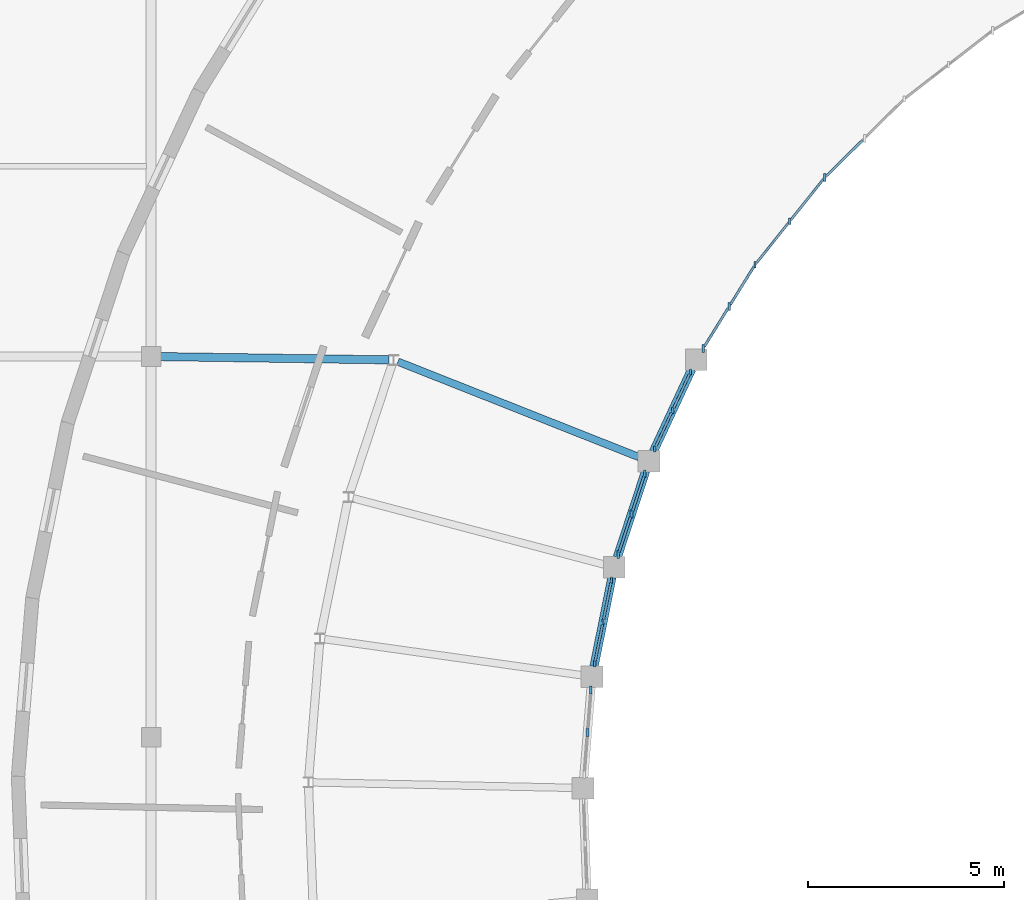
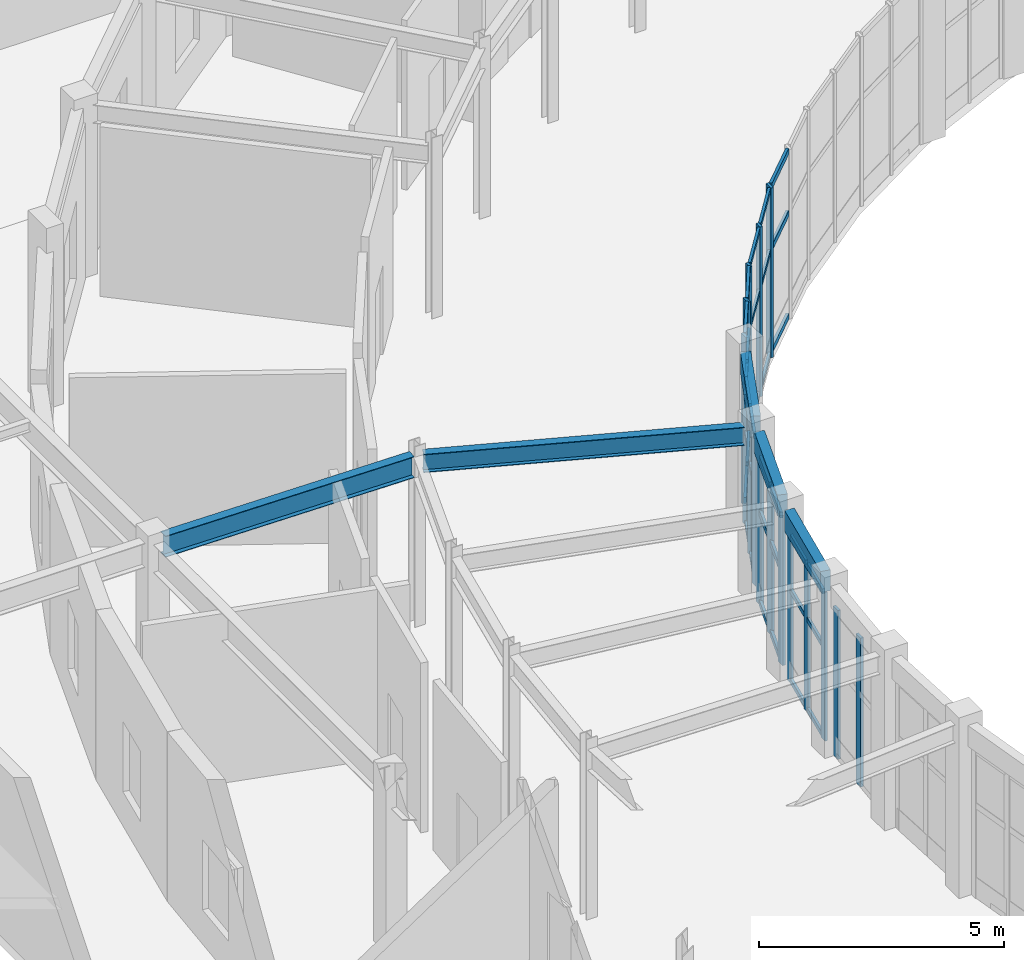
# One storey, part 48 of 112: 49 members, 5 beams, 7 elements without a shape of their own.
"""IFC4 building model written with IfcOpenShell, lengths in metres."""

import ifcopenshell
import ifcopenshell.guid

model = None  # the IFC model being written
_history = None  # IfcOwnerHistory: only IFC2X3 demands one
_inside = {}  # id of a spatial element -> (the spatial element, [elements in it])
_under = {}  # id of a project, library or spatial element -> (it, [spatial elements below it])
_declared = {}  # id of a project -> (the project, [libraries it declares])
_typed = {}  # id of a type object -> (the type object, [elements of that type])
_made_of = {}  # id of a material, layer set ... -> (it, [elements and type objects made of it])


def new_model(schema):
    """Start an empty IFC model of exactly this schema.

    Asked for "IFC4X3", IfcOpenShell would pick the latest addendum, in which some entities
    have other attributes; the version numbers below select the first issue.
    IFC2X3 requires an IfcOwnerHistory on every rooted entity: one is made here for all.
    """
    global model, _history
    if schema == "IFC4X3":
        model = ifcopenshell.file(schema_version=(4, 3, 0, 0))
    else:
        model = ifcopenshell.file(schema=schema)
    _inside.clear()
    _under.clear()
    _declared.clear()
    _typed.clear()
    _made_of.clear()
    _history = None
    if model.schema == "IFC2X3":
        org = make("IfcOrganization", Name="unknown")
        user = make(
            "IfcPersonAndOrganization",
            ThePerson=make("IfcPerson", FamilyName="unknown"),
            TheOrganization=org,
        )
        app = make(
            "IfcApplication",
            ApplicationDeveloper=org,
            Version="unknown",
            ApplicationFullName="unknown",
            ApplicationIdentifier="unknown",
        )
        _history = make(
            "IfcOwnerHistory",
            OwningUser=user,
            OwningApplication=app,
            ChangeAction="ADDED",
            CreationDate=0,
        )
    return model


def make(cls, **values):
    """One entity of the class cls with the attributes given. An attribute that is None is left unset."""
    return model.create_entity(
        cls, **{name: value for name, value in values.items() if value is not None}
    )


def rooted(cls, **values):
    """An entity with a GlobalId (a new one), such as an element, a storey or a relation."""
    return make(cls, GlobalId=ifcopenshell.guid.new(), OwnerHistory=_history, **values)


def si_unit(unit_type, name, prefix=None):
    """IfcSIUnit, for example si_unit("LENGTHUNIT", "METRE", prefix="MILLI")."""
    return make("IfcSIUnit", UnitType=unit_type, Prefix=prefix, Name=name)


def assignment(units):
    """IfcUnitAssignment: the units of a project."""
    return None if units is None else make("IfcUnitAssignment", Units=units)


def point(xyz):
    """IfcCartesianPoint."""
    return None if xyz is None else make("IfcCartesianPoint", Coordinates=xyz)


def direction(xyz):
    """IfcDirection."""
    return None if xyz is None else make("IfcDirection", DirectionRatios=xyz)


def frame(location, z_axis=None, x_axis=None):
    """IfcAxis2Placement3D, a coordinate frame: its origin and axes. An axis left out is left unset."""
    return make(
        "IfcAxis2Placement3D",
        Location=point(location),
        Axis=direction(z_axis),
        RefDirection=direction(x_axis),
    )


def frame_2d(location, x_axis=None):
    """IfcAxis2Placement2D, a coordinate frame in the plane: its origin and x axis."""
    return make(
        "IfcAxis2Placement2D", Location=point(location), RefDirection=direction(x_axis)
    )


def origin():
    """The frame at (0, 0, 0) with its axes left unset."""
    return frame((0.0, 0.0, 0.0))


def origin_2d():
    """The frame at (0, 0) in the plane with its x axis left unset."""
    return frame_2d((0.0, 0.0))


def place(relative_to, where):
    """IfcLocalPlacement: puts the frame where relative to a parent placement (None: the world)."""
    return make(
        "IfcLocalPlacement", PlacementRelTo=relative_to, RelativePlacement=where
    )


def context(
    kind, dimensions, precision=None, world=None, true_north=None, identifier=None
):
    """IfcGeometricRepresentationContext, for example the 3D "Model" context."""
    return make(
        "IfcGeometricRepresentationContext",
        ContextIdentifier=identifier,
        ContextType=kind,
        CoordinateSpaceDimension=dimensions,
        Precision=precision,
        WorldCoordinateSystem=world,
        TrueNorth=true_north,
    )


def subcontext(parent, identifier, kind, view, scale=None):
    """IfcGeometricRepresentationSubContext, for example "Body" below "Model"."""
    return make(
        "IfcGeometricRepresentationSubContext",
        ContextIdentifier=identifier,
        ContextType=kind,
        ParentContext=parent,
        TargetScale=scale,
        TargetView=view,
    )


def project(units=None, contexts=None):
    """IfcProject with its units and contexts."""
    return rooted(
        "IfcProject",
        Name="project",
        RepresentationContexts=contexts,
        UnitsInContext=assignment(units),
    )


def spatial(cls, under=None, at=None, **own):
    """A site, building, storey or space (cls), placed at a placement, below another one or the project."""
    s = rooted(cls, ObjectPlacement=at, **own)
    if under is not None:
        _under.setdefault(under.id(), (under, []))[1].append(s)
    return s


def profile(cls, at=None, kind="AREA", **sizes):
    """A parametric profile (cls). Its sizes go by their IFC names, for example OverallWidth=200.0."""
    return make(cls, ProfileType=kind, Position=at, **sizes)


def rectangle(**sizes):
    """IfcRectangleProfileDef."""
    return profile("IfcRectangleProfileDef", **sizes)


def i_section(**sizes):
    """IfcIShapeProfileDef."""
    return profile("IfcIShapeProfileDef", **sizes)


def extrude(swept, where, along, depth):
    """IfcExtrudedAreaSolid: the profile swept, set in the frame where, extruded along a direction by depth."""
    return make(
        "IfcExtrudedAreaSolid",
        SweptArea=swept,
        Position=where,
        ExtrudedDirection=direction(along),
        Depth=depth,
    )


def shape(context_of_items, identifier, shape_type, items):
    """IfcShapeRepresentation: the items that make up one representation, for example the "Body"."""
    return make(
        "IfcShapeRepresentation",
        ContextOfItems=context_of_items,
        RepresentationIdentifier=identifier,
        RepresentationType=shape_type,
        Items=items,
    )


def material(Name=None, Category=None):
    """IfcMaterial."""
    return make("IfcMaterial", Name=Name, Category=Category)


def material_profile(
    of_material, cross_section, Name=None, Category=None, Priority=None
):
    """IfcMaterialProfile: a cross section and its material."""
    return make(
        "IfcMaterialProfile",
        Name=Name,
        Material=of_material,
        Profile=cross_section,
        Priority=Priority,
        Category=Category,
    )


def profile_set(profiles, Name=None, composite=None):
    """IfcMaterialProfileSet."""
    return make(
        "IfcMaterialProfileSet",
        Name=Name,
        MaterialProfiles=profiles,
        CompositeProfile=composite,
    )


def made_of(thing, what):
    """Note that an element or type object is made of a material, layer set ...; save() writes the relation."""
    if what is not None:
        _made_of.setdefault(what.id(), (what, []))[1].append(thing)
    return thing


def type_object(cls, material=None, **own):
    """A type object (cls), such as IfcWallType, which elements share."""
    return made_of(rooted(cls, **own), material)


def element(
    cls,
    number,
    at=None,
    inside=None,
    cuts=None,
    type_object=None,
    material=None,
    context=None,
    identifier="Body",
    shape_type=None,
    held_by="IfcProductDefinitionShape",
    body=None,
    shapes=None,
    **own,
):
    """One element of the class cls, such as IfcWall. Its Tag is "e" and its number.

    at: its placement. inside: the storey or other place that contains it. cuts: it is an
    opening in that element (IfcRelVoidsElement). A single representation is given by context,
    identifier, shape_type and body (its items); several are given by shapes. held_by: the class
    of the entity that holds the representations. save() writes the other relations.
    """
    e = rooted(cls, Tag="e%d" % number, ObjectPlacement=at, **own)
    if body is not None:
        shapes = [shape(context, identifier, shape_type, body)]
    if shapes is not None:
        e.Representation = make(held_by, Representations=shapes)
    if inside is not None:
        _inside.setdefault(inside.id(), (inside, []))[1].append(e)
    if cuts is not None:
        rooted(
            "IfcRelVoidsElement", RelatingBuildingElement=cuts, RelatedOpeningElement=e
        )
    if type_object is not None:
        _typed.setdefault(type_object.id(), (type_object, []))[1].append(e)
    return made_of(e, material)


def aggregate(whole, parts):
    """IfcRelAggregates: a whole, such as a stair, and the parts it consists of."""
    return rooted("IfcRelAggregates", RelatingObject=whole, RelatedObjects=parts)


def save(model, path):
    """Write the relations noted so far, then the file.

    IfcRelAggregates (storeys below a building ...), IfcRelContainedInSpatialStructure (elements
    in a storey), IfcRelDefinesByType, IfcRelAssociatesMaterial and IfcRelDeclares: one each for
    every whole, place, type object, material and project.
    """
    for whole, parts in _under.values():
        aggregate(whole, parts)
    for where, things in _inside.values():
        rooted(
            "IfcRelContainedInSpatialStructure",
            RelatedElements=things,
            RelatingStructure=where,
        )
    for kind, things in _typed.values():
        rooted("IfcRelDefinesByType", RelatedObjects=things, RelatingType=kind)
    for what, things in _made_of.values():
        rooted("IfcRelAssociatesMaterial", RelatedObjects=things, RelatingMaterial=what)
    for by, libraries in _declared.values():
        rooted("IfcRelDeclares", RelatingContext=by, RelatedDefinitions=libraries)
    model.write(path)


model = new_model("IFC4")

# Units and contexts
model_context = context("Model", 3, precision=1e-05, world=origin(), true_north=direction((0.0, 1.0)))
body_context = subcontext(model_context, "Body", "Model", "MODEL_VIEW")
ifc_project = project(units=[si_unit("LENGTHUNIT", "METRE"), si_unit("AREAUNIT", "SQUARE_METRE"), si_unit("VOLUMEUNIT", "CUBIC_METRE"), si_unit("PLANEANGLEUNIT", "RADIAN"), si_unit("MASSUNIT", "GRAM", prefix="KILO")], contexts=[model_context])

# Site, building, storey
site_placement = place(None, origin())
site = spatial("IfcSite", under=ifc_project, at=site_placement, CompositionType="ELEMENT")
building_placement = place(site_placement, origin())
building = spatial("IfcBuilding", under=site, at=building_placement, Name="Cinderbank Siding Concert Hall", CompositionType="ELEMENT")
storey_placement = place(building_placement, frame((0.0, 0.0, 10.199951171875)))
storey = spatial("IfcBuildingStorey", under=building, at=storey_placement, Name="L03", CompositionType="ELEMENT", Elevation=10.199951171875)

# Beams
ifc_material_1 = material(Name="Structural steel AS/NZS 3679.1 Grade 350 (340 MPa)", Category="steel")
ifc_material_profile_1 = material_profile(ifc_material_1, i_section(OverallWidth=0.18994140625, OverallDepth=0.45751953125, WebThickness=0.009033203125, FlangeThickness=0.014404296875, at=origin_2d()), Name="460UB74.6", Category="LoadBearing")
ifc_profile_set_1 = profile_set([ifc_material_profile_1], Name="Structural steel AS/NZS 3679.1 Grade 350 (340 MPa)")
beam_type_1 = type_object("IfcBeamType", Name="BM-UB460 460UB74.6", PredefinedType="BEAM", material=ifc_profile_set_1)
beam_1_placement = place(storey_placement, frame((33.43701171875, 76.933349609375, 4.013427734375), z_axis=(-0.929777130015, 0.368122925801, 0.0), x_axis=(-0.368122925801, -0.929777130015, 0.0)))
element("IfcBeam", 1, at=beam_1_placement, inside=storey, type_object=beam_type_1, Name="L03 Beam BM-UB460 #1005", PredefinedType="BEAM", context=body_context, shape_type="SweptSolid", body=[
    extrude(i_section(OverallWidth=0.18994140625, OverallDepth=0.45751953125, WebThickness=0.009033203125, FlangeThickness=0.014404296875, at=origin_2d()), origin(), (0.0, 0.0, 1.0), 6.61279296875),
])
ifc_material_profile_2 = material_profile(ifc_material_1, i_section(OverallWidth=0.208984375, OverallDepth=0.5283203125, WebThickness=0.009521484375, FlangeThickness=0.01318359375, at=origin_2d()), Name="530UB82.0", Category="LoadBearing")
ifc_profile_set_2 = profile_set([ifc_material_profile_2], Name="Structural steel AS/NZS 3679.1 Grade 350 (340 MPa)")
beam_type_2 = type_object("IfcBeamType", Name="BM-UB530 530UB82.0", PredefinedType="BEAM", material=ifc_profile_set_2)
beam_2_placement = place(storey_placement, frame((21.241943359375, 79.49658203125, 3.97802734375), z_axis=(0.999898727194, -0.014231491667, 0.0), x_axis=(0.014231491667, 0.999898727194, 0.0)))
element("IfcBeam", 2, at=beam_2_placement, inside=storey, type_object=beam_type_2, Name="L03 Beam BM-UB530 #1823", PredefinedType="BEAM", context=body_context, shape_type="SweptSolid", body=[
    extrude(i_section(OverallWidth=0.208984375, OverallDepth=0.5283203125, WebThickness=0.009521484375, FlangeThickness=0.01318359375, at=origin_2d()), origin(), (0.0, 0.0, 1.0), 5.8154296875),
])

# Curtain wall, members
ifc_material_2 = material(Name="Anodised aluminium alloy 6063-T6", Category="aluminium")
curtain_wall_type_1 = type_object("IfcCurtainWallType", Name="CW-14 Unitised Acoustic Curtain Wall 4200x3800", PredefinedType="NOTDEFINED", material=ifc_material_2)
curtain_wall_1_placement = place(storey_placement, origin())
curtain_wall_1 = element("IfcCurtainWall", 3, at=curtain_wall_1_placement, inside=storey, type_object=curtain_wall_type_1, Name="L03 Curtain Wall CW-14 #128", PredefinedType="NOTDEFINED")
ifc_material_profile_3 = material_profile(ifc_material_2, rectangle(XDim=0.06005859375, YDim=0.159912109375, at=origin_2d()), Name="ALU-MULL-60x160", Category="LoadBearing")
ifc_profile_set_3 = profile_set([ifc_material_profile_3], Name="Anodised aluminium alloy 6063-T6")
member_type_1 = type_object("IfcMemberType", Name="CW-ML1 Mullion 60x160", PredefinedType="MULLION", material=ifc_profile_set_3)
member_1_placement = place(storey_placement, frame((37.276611328125, 82.94677734375, 0.0), z_axis=(0.0, 0.0, 1.0), x_axis=(1.0, 0.0, 0.0)))
member_1 = element("IfcMember", 4, at=member_1_placement, type_object=member_type_1, Name="CW-L03-128 Mullion 1", PredefinedType="MULLION", context=body_context, shape_type="SweptSolid", body=[
    extrude(rectangle(XDim=0.06005859375, YDim=0.159912109375, at=origin_2d()), origin(), (0.0, 0.0, 1.0), 4.22509765625),
])
member_2_placement = place(storey_placement, frame((36.388427734375, 81.83447265625, 0.0), z_axis=(0.0, 0.0, 1.0), x_axis=(1.0, 0.0, 0.0)))
member_2 = element("IfcMember", 5, at=member_2_placement, type_object=member_type_1, Name="CW-L03-128 Mullion 2", PredefinedType="MULLION", context=body_context, shape_type="SweptSolid", body=[
    extrude(rectangle(XDim=0.06005859375, YDim=0.159912109375, at=origin_2d()), origin(), (0.0, 0.0, 1.0), 4.22509765625),
])

curtain_wall_2_placement = place(storey_placement, origin())
curtain_wall_2 = element("IfcCurtainWall", 6, at=curtain_wall_2_placement, inside=storey, type_object=curtain_wall_type_1, Name="L03 Curtain Wall CW-14 #130", PredefinedType="NOTDEFINED")
member_3_placement = place(storey_placement, frame((34.74462890625, 79.10693359375, 0.0), z_axis=(0.0, 0.0, 1.0), x_axis=(1.0, 0.0, 0.0)))
member_3 = element("IfcMember", 7, at=member_3_placement, type_object=member_type_1, Name="CW-L03-130 Mullion 0", PredefinedType="MULLION", context=body_context, shape_type="SweptSolid", body=[
    extrude(rectangle(XDim=0.06005859375, YDim=0.159912109375, at=origin_2d()), origin(), (0.0, 0.0, 1.0), 3.70703125),
])
member_4_placement = place(storey_placement, frame((34.286865234375, 78.125, 0.0), z_axis=(0.0, 0.0, 1.0), x_axis=(1.0, 0.0, 0.0)))
member_4 = element("IfcMember", 8, at=member_4_placement, type_object=member_type_1, Name="CW-L03-130 Mullion 1", PredefinedType="MULLION", context=body_context, shape_type="SweptSolid", body=[
    extrude(rectangle(XDim=0.06005859375, YDim=0.159912109375, at=origin_2d()), origin(), (0.0, 0.0, 1.0), 3.70703125),
])
member_5_placement = place(storey_placement, frame((33.8291015625, 77.14306640625, 0.0), z_axis=(0.0, 0.0, 1.0), x_axis=(1.0, 0.0, 0.0)))
member_5 = element("IfcMember", 9, at=member_5_placement, type_object=member_type_1, Name="CW-L03-130 Mullion 2", PredefinedType="MULLION", context=body_context, shape_type="SweptSolid", body=[
    extrude(rectangle(XDim=0.06005859375, YDim=0.159912109375, at=origin_2d()), origin(), (0.0, 0.0, 1.0), 3.70703125),
])

curtain_wall_3_placement = place(storey_placement, origin())
curtain_wall_3 = element("IfcCurtainWall", 10, at=curtain_wall_3_placement, inside=storey, type_object=curtain_wall_type_1, Name="L03 Curtain Wall CW-14 #132", PredefinedType="NOTDEFINED")
member_6_placement = place(storey_placement, frame((32.72900390625, 73.79736328125, 0.0), z_axis=(0.0, 0.0, 1.0), x_axis=(1.0, 0.0, 0.0)))
member_6 = element("IfcMember", 11, at=member_6_placement, type_object=member_type_1, Name="CW-L03-132 Mullion 0", PredefinedType="MULLION", context=body_context, shape_type="SweptSolid", body=[
    extrude(rectangle(XDim=0.06005859375, YDim=0.159912109375, at=origin_2d()), origin(), (0.0, 0.0, 1.0), 3.70703125),
])
member_7_placement = place(storey_placement, frame((32.514892578125, 72.735595703125, 0.0), z_axis=(0.0, 0.0, 1.0), x_axis=(1.0, 0.0, 0.0)))
member_7 = element("IfcMember", 12, at=member_7_placement, type_object=member_type_1, Name="CW-L03-132 Mullion 1", PredefinedType="MULLION", context=body_context, shape_type="SweptSolid", body=[
    extrude(rectangle(XDim=0.06005859375, YDim=0.159912109375, at=origin_2d()), origin(), (0.0, 0.0, 1.0), 3.70703125),
])
member_8_placement = place(storey_placement, frame((32.30078125, 71.673583984375, 0.0), z_axis=(0.0, 0.0, 1.0), x_axis=(1.0, 0.0, 0.0)))
member_8 = element("IfcMember", 13, at=member_8_placement, type_object=member_type_1, Name="CW-L03-132 Mullion 2", PredefinedType="MULLION", context=body_context, shape_type="SweptSolid", body=[
    extrude(rectangle(XDim=0.06005859375, YDim=0.159912109375, at=origin_2d()), origin(), (0.0, 0.0, 1.0), 3.70703125),
])

# Curtain wall, member
curtain_wall_type_2 = type_object("IfcCurtainWallType", Name="CW-13 Unitised Acoustic Curtain Wall 4200x4400", PredefinedType="NOTDEFINED", material=ifc_material_2)
curtain_wall_4_placement = place(storey_placement, origin())
curtain_wall_4 = element("IfcCurtainWall", 14, at=curtain_wall_4_placement, inside=storey, type_object=curtain_wall_type_2, Name="L03 Curtain Wall CW-13 #127", PredefinedType="NOTDEFINED")
ifc_material_profile_4 = material_profile(ifc_material_2, rectangle(XDim=0.06494140625, YDim=0.199951171875, at=origin_2d()), Name="ALU-MULL-65x200", Category="LoadBearing")
ifc_profile_set_4 = profile_set([ifc_material_profile_4], Name="Anodised aluminium alloy 6063-T6")
member_type_2 = type_object("IfcMemberType", Name="CW-ML2 Mullion 65x200", PredefinedType="MULLION", material=ifc_profile_set_4)
member_9_placement = place(storey_placement, frame((38.16455078125, 84.05908203125, 0.0), z_axis=(0.0, 0.0, 1.0), x_axis=(1.0, 0.0, 0.0)))
member_9 = element("IfcMember", 15, at=member_9_placement, type_object=member_type_2, Name="CW-L03-127 Mullion 2", PredefinedType="MULLION", context=body_context, shape_type="SweptSolid", body=[
    extrude(rectangle(XDim=0.06494140625, YDim=0.199951171875, at=origin_2d()), origin(), (0.0, 0.0, 1.0), 4.22509765625),
])

# Curtain wall, members
curtain_wall_5_placement = place(storey_placement, origin())
curtain_wall_5 = element("IfcCurtainWall", 16, at=curtain_wall_5_placement, inside=storey, type_object=curtain_wall_type_2, Name="L03 Curtain Wall CW-13 #129", PredefinedType="NOTDEFINED")
member_10_placement = place(storey_placement, frame((35.72802734375, 80.769287109375, 0.0), z_axis=(0.0, 0.0, 1.0), x_axis=(1.0, 0.0, 0.0)))
member_10 = element("IfcMember", 17, at=member_10_placement, type_object=member_type_2, Name="CW-L03-129 Mullion 1", PredefinedType="MULLION", context=body_context, shape_type="SweptSolid", body=[
    extrude(rectangle(XDim=0.06494140625, YDim=0.199951171875, at=origin_2d()), origin(), (0.0, 0.0, 1.0), 4.22509765625),
])
member_11_placement = place(storey_placement, frame((35.067626953125, 79.7041015625, 0.0), z_axis=(0.0, 0.0, 1.0), x_axis=(1.0, 0.0, 0.0)))
member_11 = element("IfcMember", 18, at=member_11_placement, type_object=member_type_2, Name="CW-L03-129 Mullion 2", PredefinedType="MULLION", context=body_context, shape_type="SweptSolid", body=[
    extrude(rectangle(XDim=0.06494140625, YDim=0.199951171875, at=origin_2d()), origin(), (0.0, 0.0, 1.0), 4.22509765625),
])

curtain_wall_6_placement = place(storey_placement, origin())
curtain_wall_6 = element("IfcCurtainWall", 19, at=curtain_wall_6_placement, inside=storey, type_object=curtain_wall_type_2, Name="L03 Curtain Wall CW-13 #131", PredefinedType="NOTDEFINED")
member_12_placement = place(storey_placement, frame((33.5791015625, 76.511962890625, 0.0), z_axis=(0.0, 0.0, 1.0), x_axis=(1.0, 0.0, 0.0)))
member_12 = element("IfcMember", 20, at=member_12_placement, type_object=member_type_2, Name="CW-L03-131 Mullion 0", PredefinedType="MULLION", context=body_context, shape_type="SweptSolid", body=[
    extrude(rectangle(XDim=0.06494140625, YDim=0.199951171875, at=origin_2d()), origin(), (0.0, 0.0, 1.0), 3.70703125),
])
member_13_placement = place(storey_placement, frame((33.24072265625, 75.48291015625, 0.0), z_axis=(0.0, 0.0, 1.0), x_axis=(1.0, 0.0, 0.0)))
member_13 = element("IfcMember", 21, at=member_13_placement, type_object=member_type_2, Name="CW-L03-131 Mullion 1", PredefinedType="MULLION", context=body_context, shape_type="SweptSolid", body=[
    extrude(rectangle(XDim=0.06494140625, YDim=0.199951171875, at=origin_2d()), origin(), (0.0, 0.0, 1.0), 3.70703125),
])
member_14_placement = place(storey_placement, frame((32.90234375, 74.45361328125, 0.0), z_axis=(0.0, 0.0, 1.0), x_axis=(1.0, 0.0, 0.0)))
member_14 = element("IfcMember", 22, at=member_14_placement, type_object=member_type_2, Name="CW-L03-131 Mullion 2", PredefinedType="MULLION", context=body_context, shape_type="SweptSolid", body=[
    extrude(rectangle(XDim=0.06494140625, YDim=0.199951171875, at=origin_2d()), origin(), (0.0, 0.0, 1.0), 3.70703125),
])

curtain_wall_7_placement = place(storey_placement, origin())
curtain_wall_7 = element("IfcCurtainWall", 23, at=curtain_wall_7_placement, inside=storey, type_object=curtain_wall_type_2, Name="L03 Curtain Wall CW-13 #133", PredefinedType="NOTDEFINED")
member_15_placement = place(storey_placement, frame((32.206298828125, 71.001220703125, 0.0), z_axis=(0.0, 0.0, 1.0), x_axis=(1.0, 0.0, 0.0)))
member_15 = element("IfcMember", 24, at=member_15_placement, type_object=member_type_2, Name="CW-L03-133 Mullion 0", PredefinedType="MULLION", context=body_context, shape_type="SweptSolid", body=[
    extrude(rectangle(XDim=0.06494140625, YDim=0.199951171875, at=origin_2d()), origin(), (0.0, 0.0, 1.0), 3.70703125),
])
member_16_placement = place(storey_placement, frame((32.119384765625, 69.92138671875, 0.0), z_axis=(0.0, 0.0, 1.0), x_axis=(1.0, 0.0, 0.0)))
member_16 = element("IfcMember", 25, at=member_16_placement, type_object=member_type_2, Name="CW-L03-133 Mullion 1", PredefinedType="MULLION", context=body_context, shape_type="SweptSolid", body=[
    extrude(rectangle(XDim=0.06494140625, YDim=0.199951171875, at=origin_2d()), origin(), (0.0, 0.0, 1.0), 3.70703125),
])
aggregate(curtain_wall_7, [member_15, member_16])

# Member
ifc_material_profile_5 = material_profile(ifc_material_2, rectangle(XDim=0.06005859375, YDim=0.1201171875, at=origin_2d()), Name="ALU-TRAN-60x120", Category="LoadBearing")
ifc_profile_set_5 = profile_set([ifc_material_profile_5], Name="Anodised aluminium alloy 6063-T6")
member_type_3 = type_object("IfcMemberType", Name="CW-TR1 Transom 60x120", PredefinedType="USERDEFINED", material=ifc_profile_set_5)
member_17_placement = place(storey_placement, frame((38.1201171875, 84.00341796875, 0.06005859375), z_axis=(-0.623997511467, -0.781426327738, 0.0), x_axis=(0.781426327738, -0.623997511467, 0.0)))
member_17 = element("IfcMember", 26, at=member_17_placement, type_object=member_type_3, Name="CW-L03-128 Transom 0-0", ObjectType="TRANSOM", PredefinedType="USERDEFINED", context=body_context, shape_type="SweptSolid", body=[
    extrude(rectangle(XDim=0.06005859375, YDim=0.1201171875, at=origin_2d()), origin(), (0.0, 0.0, 1.0), 1.281005859375),
])

member_18_placement = place(storey_placement, frame((38.1201171875, 84.00341796875, 2.61962890625), z_axis=(-0.623997511467, -0.781426327738, 0.0), x_axis=(0.781426327738, -0.623997511467, 0.0)))
member_18 = element("IfcMember", 27, at=member_18_placement, type_object=member_type_3, Name="CW-L03-128 Transom 0-1", ObjectType="TRANSOM", PredefinedType="USERDEFINED", context=body_context, shape_type="SweptSolid", body=[
    extrude(rectangle(XDim=0.06005859375, YDim=0.1201171875, at=origin_2d()), origin(), (0.0, 0.0, 1.0), 1.281005859375),
])

member_19_placement = place(storey_placement, frame((38.1201171875, 84.00341796875, 4.1650390625), z_axis=(-0.623997511467, -0.781426327738, 0.0), x_axis=(0.781426327738, -0.623997511467, 0.0)))
member_19 = element("IfcMember", 28, at=member_19_placement, type_object=member_type_3, Name="CW-L03-128 Transom 0-2", ObjectType="TRANSOM", PredefinedType="USERDEFINED", context=body_context, shape_type="SweptSolid", body=[
    extrude(rectangle(XDim=0.06005859375, YDim=0.1201171875, at=origin_2d()), origin(), (0.0, 0.0, 1.0), 1.281005859375),
])

member_20_placement = place(storey_placement, frame((37.232177734375, 82.89111328125, 0.06005859375), z_axis=(-0.623904586799, -0.781500522438, 0.0), x_axis=(0.781500522438, -0.623904586799, 0.0)))
member_20 = element("IfcMember", 29, at=member_20_placement, type_object=member_type_3, Name="CW-L03-128 Transom 1-0", ObjectType="TRANSOM", PredefinedType="USERDEFINED", context=body_context, shape_type="SweptSolid", body=[
    extrude(rectangle(XDim=0.06005859375, YDim=0.1201171875, at=origin_2d()), origin(), (0.0, 0.0, 1.0), 1.28125),
])

member_21_placement = place(storey_placement, frame((37.232177734375, 82.89111328125, 2.61962890625), z_axis=(-0.623904586799, -0.781500522438, 0.0), x_axis=(0.781500522438, -0.623904586799, 0.0)))
member_21 = element("IfcMember", 30, at=member_21_placement, type_object=member_type_3, Name="CW-L03-128 Transom 1-1", ObjectType="TRANSOM", PredefinedType="USERDEFINED", context=body_context, shape_type="SweptSolid", body=[
    extrude(rectangle(XDim=0.06005859375, YDim=0.1201171875, at=origin_2d()), origin(), (0.0, 0.0, 1.0), 1.28125),
])

member_22_placement = place(storey_placement, frame((37.232177734375, 82.89111328125, 4.1650390625), z_axis=(-0.623904586799, -0.781500522438, 0.0), x_axis=(0.781500522438, -0.623904586799, 0.0)))
member_22 = element("IfcMember", 31, at=member_22_placement, type_object=member_type_3, Name="CW-L03-128 Transom 1-2", ObjectType="TRANSOM", PredefinedType="USERDEFINED", context=body_context, shape_type="SweptSolid", body=[
    extrude(rectangle(XDim=0.06005859375, YDim=0.1201171875, at=origin_2d()), origin(), (0.0, 0.0, 1.0), 1.28125),
])

aggregate(curtain_wall_1, [member_1, member_2, member_17, member_18, member_19, member_20, member_21, member_22])

member_23_placement = place(storey_placement, frame((34.7216796875, 79.057861328125, 0.06005859375), z_axis=(-0.422405646797, -0.906406900655, 0.0), x_axis=(0.906406900655, -0.422405646797, 0.0)))
member_23 = element("IfcMember", 32, at=member_23_placement, type_object=member_type_3, Name="CW-L03-130 Transom 0-0", ObjectType="TRANSOM", PredefinedType="USERDEFINED", context=body_context, shape_type="SweptSolid", body=[
    extrude(rectangle(XDim=0.06005859375, YDim=0.1201171875, at=origin_2d()), origin(), (0.0, 0.0, 1.0), 0.97509765625),
])

member_24_placement = place(storey_placement, frame((34.7216796875, 79.057861328125, 2.29833984375), z_axis=(-0.422405646797, -0.906406900655, 0.0), x_axis=(0.906406900655, -0.422405646797, 0.0)))
member_24 = element("IfcMember", 33, at=member_24_placement, type_object=member_type_3, Name="CW-L03-130 Transom 0-1", ObjectType="TRANSOM", PredefinedType="USERDEFINED", context=body_context, shape_type="SweptSolid", body=[
    extrude(rectangle(XDim=0.06005859375, YDim=0.1201171875, at=origin_2d()), origin(), (0.0, 0.0, 1.0), 0.97509765625),
])

member_25_placement = place(storey_placement, frame((34.7216796875, 79.057861328125, 3.64697265625), z_axis=(-0.422405646797, -0.906406900655, 0.0), x_axis=(0.906406900655, -0.422405646797, 0.0)))
member_25 = element("IfcMember", 34, at=member_25_placement, type_object=member_type_3, Name="CW-L03-130 Transom 0-2", ObjectType="TRANSOM", PredefinedType="USERDEFINED", context=body_context, shape_type="SweptSolid", body=[
    extrude(rectangle(XDim=0.06005859375, YDim=0.1201171875, at=origin_2d()), origin(), (0.0, 0.0, 1.0), 0.97509765625),
])

member_26_placement = place(storey_placement, frame((34.263916015625, 78.075927734375, 0.06005859375), z_axis=(-0.422405646797, -0.906406900655, 0.0), x_axis=(0.906406900655, -0.422405646797, 0.0)))
member_26 = element("IfcMember", 35, at=member_26_placement, type_object=member_type_3, Name="CW-L03-130 Transom 1-0", ObjectType="TRANSOM", PredefinedType="USERDEFINED", context=body_context, shape_type="SweptSolid", body=[
    extrude(rectangle(XDim=0.06005859375, YDim=0.1201171875, at=origin_2d()), origin(), (0.0, 0.0, 1.0), 0.97509765625),
])

member_27_placement = place(storey_placement, frame((34.263916015625, 78.075927734375, 2.29833984375), z_axis=(-0.422405646797, -0.906406900655, 0.0), x_axis=(0.906406900655, -0.422405646797, 0.0)))
member_27 = element("IfcMember", 36, at=member_27_placement, type_object=member_type_3, Name="CW-L03-130 Transom 1-1", ObjectType="TRANSOM", PredefinedType="USERDEFINED", context=body_context, shape_type="SweptSolid", body=[
    extrude(rectangle(XDim=0.06005859375, YDim=0.1201171875, at=origin_2d()), origin(), (0.0, 0.0, 1.0), 0.97509765625),
])

member_28_placement = place(storey_placement, frame((34.263916015625, 78.075927734375, 3.64697265625), z_axis=(-0.422405646797, -0.906406900655, 0.0), x_axis=(0.906406900655, -0.422405646797, 0.0)))
member_28 = element("IfcMember", 37, at=member_28_placement, type_object=member_type_3, Name="CW-L03-130 Transom 1-2", ObjectType="TRANSOM", PredefinedType="USERDEFINED", context=body_context, shape_type="SweptSolid", body=[
    extrude(rectangle(XDim=0.06005859375, YDim=0.1201171875, at=origin_2d()), origin(), (0.0, 0.0, 1.0), 0.97509765625),
])

aggregate(curtain_wall_2, [member_3, member_4, member_5, member_23, member_24, member_25, member_26, member_27, member_28])

member_29_placement = place(storey_placement, frame((32.71826171875, 73.744384765625, 0.06005859375), z_axis=(-0.197560500421, -0.980290696005, 0.0), x_axis=(0.980290696005, -0.197560500421, 0.0)))
member_29 = element("IfcMember", 38, at=member_29_placement, type_object=member_type_3, Name="CW-L03-132 Transom 0-0", ObjectType="TRANSOM", PredefinedType="USERDEFINED", context=body_context, shape_type="SweptSolid", body=[
    extrude(rectangle(XDim=0.06005859375, YDim=0.1201171875, at=origin_2d()), origin(), (0.0, 0.0, 1.0), 0.97509765625),
])

member_30_placement = place(storey_placement, frame((32.71826171875, 73.744384765625, 2.29833984375), z_axis=(-0.197560500421, -0.980290696005, 0.0), x_axis=(0.980290696005, -0.197560500421, 0.0)))
member_30 = element("IfcMember", 39, at=member_30_placement, type_object=member_type_3, Name="CW-L03-132 Transom 0-1", ObjectType="TRANSOM", PredefinedType="USERDEFINED", context=body_context, shape_type="SweptSolid", body=[
    extrude(rectangle(XDim=0.06005859375, YDim=0.1201171875, at=origin_2d()), origin(), (0.0, 0.0, 1.0), 0.97509765625),
])

member_31_placement = place(storey_placement, frame((32.71826171875, 73.744384765625, 3.64697265625), z_axis=(-0.197560500421, -0.980290696005, 0.0), x_axis=(0.980290696005, -0.197560500421, 0.0)))
member_31 = element("IfcMember", 40, at=member_31_placement, type_object=member_type_3, Name="CW-L03-132 Transom 0-2", ObjectType="TRANSOM", PredefinedType="USERDEFINED", context=body_context, shape_type="SweptSolid", body=[
    extrude(rectangle(XDim=0.06005859375, YDim=0.1201171875, at=origin_2d()), origin(), (0.0, 0.0, 1.0), 0.97509765625),
])

member_32_placement = place(storey_placement, frame((32.504150390625, 72.682373046875, 0.06005859375), z_axis=(-0.197560500421, -0.980290696005, 0.0), x_axis=(0.980290696005, -0.197560500421, 0.0)))
member_32 = element("IfcMember", 41, at=member_32_placement, type_object=member_type_3, Name="CW-L03-132 Transom 1-0", ObjectType="TRANSOM", PredefinedType="USERDEFINED", context=body_context, shape_type="SweptSolid", body=[
    extrude(rectangle(XDim=0.06005859375, YDim=0.1201171875, at=origin_2d()), origin(), (0.0, 0.0, 1.0), 0.97509765625),
])

member_33_placement = place(storey_placement, frame((32.504150390625, 72.682373046875, 2.29833984375), z_axis=(-0.197560500421, -0.980290696005, 0.0), x_axis=(0.980290696005, -0.197560500421, 0.0)))
member_33 = element("IfcMember", 42, at=member_33_placement, type_object=member_type_3, Name="CW-L03-132 Transom 1-1", ObjectType="TRANSOM", PredefinedType="USERDEFINED", context=body_context, shape_type="SweptSolid", body=[
    extrude(rectangle(XDim=0.06005859375, YDim=0.1201171875, at=origin_2d()), origin(), (0.0, 0.0, 1.0), 0.97509765625),
])

member_34_placement = place(storey_placement, frame((32.504150390625, 72.682373046875, 3.64697265625), z_axis=(-0.197560500421, -0.980290696005, 0.0), x_axis=(0.980290696005, -0.197560500421, 0.0)))
member_34 = element("IfcMember", 43, at=member_34_placement, type_object=member_type_3, Name="CW-L03-132 Transom 1-2", ObjectType="TRANSOM", PredefinedType="USERDEFINED", context=body_context, shape_type="SweptSolid", body=[
    extrude(rectangle(XDim=0.06005859375, YDim=0.1201171875, at=origin_2d()), origin(), (0.0, 0.0, 1.0), 0.97509765625),
])

aggregate(curtain_wall_3, [member_6, member_7, member_8, member_29, member_30, member_31, member_32, member_33, member_34])

ifc_material_profile_6 = material_profile(ifc_material_2, rectangle(XDim=0.06494140625, YDim=0.14990234375, at=origin_2d()), Name="ALU-TRAN-65x150", Category="LoadBearing")
ifc_profile_set_6 = profile_set([ifc_material_profile_6], Name="Anodised aluminium alloy 6063-T6")
member_type_4 = type_object("IfcMemberType", Name="CW-TR2 Transom 65x150", PredefinedType="USERDEFINED", material=ifc_profile_set_6)
member_35_placement = place(storey_placement, frame((39.127197265625, 85.008544921875, 0.06005859375), z_axis=(-0.71204476129, -0.702134074034, 0.0), x_axis=(0.702134074034, -0.71204476129, 0.0)))
member_35 = element("IfcMember", 44, at=member_35_placement, type_object=member_type_4, Name="CW-L03-127 Transom 1-0", ObjectType="TRANSOM", PredefinedType="USERDEFINED", context=body_context, shape_type="SweptSolid", body=[
    extrude(rectangle(XDim=0.06494140625, YDim=0.14990234375, at=origin_2d()), origin(), (0.0, 0.0, 1.0), 1.281005859375),
])

member_36_placement = place(storey_placement, frame((39.127197265625, 85.008544921875, 2.61962890625), z_axis=(-0.71204476129, -0.702134074034, 0.0), x_axis=(0.702134074034, -0.71204476129, 0.0)))
member_36 = element("IfcMember", 45, at=member_36_placement, type_object=member_type_4, Name="CW-L03-127 Transom 1-1", ObjectType="TRANSOM", PredefinedType="USERDEFINED", context=body_context, shape_type="SweptSolid", body=[
    extrude(rectangle(XDim=0.06494140625, YDim=0.14990234375, at=origin_2d()), origin(), (0.0, 0.0, 1.0), 1.281005859375),
])

member_37_placement = place(storey_placement, frame((39.127197265625, 85.008544921875, 4.1650390625), z_axis=(-0.71204476129, -0.702134074034, 0.0), x_axis=(0.702134074034, -0.71204476129, 0.0)))
member_37 = element("IfcMember", 46, at=member_37_placement, type_object=member_type_4, Name="CW-L03-127 Transom 1-2", ObjectType="TRANSOM", PredefinedType="USERDEFINED", context=body_context, shape_type="SweptSolid", body=[
    extrude(rectangle(XDim=0.06494140625, YDim=0.14990234375, at=origin_2d()), origin(), (0.0, 0.0, 1.0), 1.281005859375),
])

aggregate(curtain_wall_4, [member_9, member_35, member_36, member_37])

member_38_placement = place(storey_placement, frame((36.35546875, 81.781005859375, 0.06005859375), z_axis=(-0.527077254973, -0.849817372905, 0.0), x_axis=(0.849817372905, -0.527077254973, 0.0)))
member_38 = element("IfcMember", 47, at=member_38_placement, type_object=member_type_4, Name="CW-L03-129 Transom 0-0", ObjectType="TRANSOM", PredefinedType="USERDEFINED", context=body_context, shape_type="SweptSolid", body=[
    extrude(rectangle(XDim=0.06494140625, YDim=0.14990234375, at=origin_2d()), origin(), (0.0, 0.0, 1.0), 1.1279296875),
])

member_39_placement = place(storey_placement, frame((36.35546875, 81.781005859375, 2.61962890625), z_axis=(-0.527077254973, -0.849817372905, 0.0), x_axis=(0.849817372905, -0.527077254973, 0.0)))
member_39 = element("IfcMember", 48, at=member_39_placement, type_object=member_type_4, Name="CW-L03-129 Transom 0-1", ObjectType="TRANSOM", PredefinedType="USERDEFINED", context=body_context, shape_type="SweptSolid", body=[
    extrude(rectangle(XDim=0.06494140625, YDim=0.14990234375, at=origin_2d()), origin(), (0.0, 0.0, 1.0), 1.1279296875),
])

member_40_placement = place(storey_placement, frame((36.35546875, 81.781005859375, 4.1650390625), z_axis=(-0.527077254973, -0.849817372905, 0.0), x_axis=(0.849817372905, -0.527077254973, 0.0)))
member_40 = element("IfcMember", 49, at=member_40_placement, type_object=member_type_4, Name="CW-L03-129 Transom 0-2", ObjectType="TRANSOM", PredefinedType="USERDEFINED", context=body_context, shape_type="SweptSolid", body=[
    extrude(rectangle(XDim=0.06494140625, YDim=0.14990234375, at=origin_2d()), origin(), (0.0, 0.0, 1.0), 1.1279296875),
])

member_41_placement = place(storey_placement, frame((35.695068359375, 80.7158203125, 0.06005859375), z_axis=(-0.526980313264, -0.849877490837, 0.0), x_axis=(0.849877490837, -0.526980313264, 0.0)))
member_41 = element("IfcMember", 50, at=member_41_placement, type_object=member_type_4, Name="CW-L03-129 Transom 1-0", ObjectType="TRANSOM", PredefinedType="USERDEFINED", context=body_context, shape_type="SweptSolid", body=[
    extrude(rectangle(XDim=0.06494140625, YDim=0.14990234375, at=origin_2d()), origin(), (0.0, 0.0, 1.0), 1.128173828125),
])

member_42_placement = place(storey_placement, frame((35.695068359375, 80.7158203125, 2.61962890625), z_axis=(-0.526980313264, -0.849877490837, 0.0), x_axis=(0.849877490837, -0.526980313264, 0.0)))
member_42 = element("IfcMember", 51, at=member_42_placement, type_object=member_type_4, Name="CW-L03-129 Transom 1-1", ObjectType="TRANSOM", PredefinedType="USERDEFINED", context=body_context, shape_type="SweptSolid", body=[
    extrude(rectangle(XDim=0.06494140625, YDim=0.14990234375, at=origin_2d()), origin(), (0.0, 0.0, 1.0), 1.128173828125),
])

member_43_placement = place(storey_placement, frame((35.695068359375, 80.7158203125, 4.1650390625), z_axis=(-0.526980313264, -0.849877490837, 0.0), x_axis=(0.849877490837, -0.526980313264, 0.0)))
member_43 = element("IfcMember", 52, at=member_43_placement, type_object=member_type_4, Name="CW-L03-129 Transom 1-2", ObjectType="TRANSOM", PredefinedType="USERDEFINED", context=body_context, shape_type="SweptSolid", body=[
    extrude(rectangle(XDim=0.06494140625, YDim=0.14990234375, at=origin_2d()), origin(), (0.0, 0.0, 1.0), 1.128173828125),
])

aggregate(curtain_wall_5, [member_10, member_11, member_38, member_39, member_40, member_41, member_42, member_43])

member_44_placement = place(storey_placement, frame((33.562255859375, 76.460693359375, 0.06005859375), z_axis=(-0.312169427758, -0.950026446144, 0.0), x_axis=(0.950026446144, -0.312169427758, 0.0)))
member_44 = element("IfcMember", 53, at=member_44_placement, type_object=member_type_4, Name="CW-L03-131 Transom 0-0", ObjectType="TRANSOM", PredefinedType="USERDEFINED", context=body_context, shape_type="SweptSolid", body=[
    extrude(rectangle(XDim=0.06494140625, YDim=0.14990234375, at=origin_2d()), origin(), (0.0, 0.0, 1.0), 0.975341796875),
])

member_45_placement = place(storey_placement, frame((33.562255859375, 76.460693359375, 2.29833984375), z_axis=(-0.312169427758, -0.950026446144, 0.0), x_axis=(0.950026446144, -0.312169427758, 0.0)))
member_45 = element("IfcMember", 54, at=member_45_placement, type_object=member_type_4, Name="CW-L03-131 Transom 0-1", ObjectType="TRANSOM", PredefinedType="USERDEFINED", context=body_context, shape_type="SweptSolid", body=[
    extrude(rectangle(XDim=0.06494140625, YDim=0.14990234375, at=origin_2d()), origin(), (0.0, 0.0, 1.0), 0.975341796875),
])

member_46_placement = place(storey_placement, frame((33.562255859375, 76.460693359375, 3.64697265625), z_axis=(-0.312169427758, -0.950026446144, 0.0), x_axis=(0.950026446144, -0.312169427758, 0.0)))
member_46 = element("IfcMember", 55, at=member_46_placement, type_object=member_type_4, Name="CW-L03-131 Transom 0-2", ObjectType="TRANSOM", PredefinedType="USERDEFINED", context=body_context, shape_type="SweptSolid", body=[
    extrude(rectangle(XDim=0.06494140625, YDim=0.14990234375, at=origin_2d()), origin(), (0.0, 0.0, 1.0), 0.975341796875),
])

member_47_placement = place(storey_placement, frame((33.223876953125, 75.431396484375, 0.06005859375), z_axis=(-0.312469643283, -0.949927745687, 0.0), x_axis=(0.949927745687, -0.312469643283, 0.0)))
member_47 = element("IfcMember", 56, at=member_47_placement, type_object=member_type_4, Name="CW-L03-131 Transom 1-0", ObjectType="TRANSOM", PredefinedType="USERDEFINED", context=body_context, shape_type="SweptSolid", body=[
    extrude(rectangle(XDim=0.06494140625, YDim=0.14990234375, at=origin_2d()), origin(), (0.0, 0.0, 1.0), 0.97509765625),
])

member_48_placement = place(storey_placement, frame((33.223876953125, 75.431396484375, 2.29833984375), z_axis=(-0.312469643283, -0.949927745687, 0.0), x_axis=(0.949927745687, -0.312469643283, 0.0)))
member_48 = element("IfcMember", 57, at=member_48_placement, type_object=member_type_4, Name="CW-L03-131 Transom 1-1", ObjectType="TRANSOM", PredefinedType="USERDEFINED", context=body_context, shape_type="SweptSolid", body=[
    extrude(rectangle(XDim=0.06494140625, YDim=0.14990234375, at=origin_2d()), origin(), (0.0, 0.0, 1.0), 0.97509765625),
])

member_49_placement = place(storey_placement, frame((33.223876953125, 75.431396484375, 3.64697265625), z_axis=(-0.312469643283, -0.949927745687, 0.0), x_axis=(0.949927745687, -0.312469643283, 0.0)))
member_49 = element("IfcMember", 58, at=member_49_placement, type_object=member_type_4, Name="CW-L03-131 Transom 1-2", ObjectType="TRANSOM", PredefinedType="USERDEFINED", context=body_context, shape_type="SweptSolid", body=[
    extrude(rectangle(XDim=0.06494140625, YDim=0.14990234375, at=origin_2d()), origin(), (0.0, 0.0, 1.0), 0.97509765625),
])

aggregate(curtain_wall_6, [member_12, member_13, member_14, member_44, member_45, member_46, member_47, member_48, member_49])

# Beams
ifc_material_3 = material(Name="Spotted gum glulam timber GL18 (42 MPa)", Category="wood")
ifc_material_profile_7 = material_profile(ifc_material_3, rectangle(XDim=0.215087890625, YDim=0.52001953125, at=origin_2d()), Name="GL18-215x520", Category="LoadBearing")
ifc_profile_set_7 = profile_set([ifc_material_profile_7], Name="Spotted gum glulam timber GL18 (42 MPa)")
beam_type_3 = type_object("IfcBeamType", Name="SP-GL520 GL18-215x520", PredefinedType="SPANDREL", material=ifc_profile_set_7)
beam_3_placement = place(storey_placement, frame((34.775634765625, 79.173095703125, 3.98193359375), z_axis=(-0.422642750407, -0.906296367381, 0.0), x_axis=(0.906296367381, -0.422642750407, 0.0)))
element("IfcBeam", 59, at=beam_3_placement, inside=storey, type_object=beam_type_3, Name="L03 Beam SP-GL520 #1004", PredefinedType="SPANDREL", context=body_context, shape_type="SweptSolid", body=[
    extrude(rectangle(XDim=0.215087890625, YDim=0.52001953125, at=origin_2d()), origin(), (0.0, 0.0, 1.0), 2.31298828125),
])
for number, where, z_axis, x_axis, name in (
    (60, (33.60205078125, 76.581298828125, 3.98193359375), (-0.312361530126, -0.949963301658, 0.0), (0.949963301658, -0.312361530126, 0.0), "L03 Beam SP-GL520 #1006"),
    (61, (32.743408203125, 73.868896484375, 3.98193359375), (-0.19761817994, -0.980279069937, 0.0), (0.980279069937, -0.19761817994, 0.0), "L03 Beam SP-GL520 #1009"),
):
    element("IfcBeam", number, at=place(storey_placement, frame(where, z_axis=z_axis, x_axis=x_axis)), inside=storey, type_object=beam_type_3, Name=name, PredefinedType="SPANDREL", context=body_context, shape_type="SweptSolid", body=[
        extrude(rectangle(XDim=0.215087890625, YDim=0.52001953125, at=origin_2d()), origin(), (0.0, 0.0, 1.0), 2.312744140625),
    ])

save(model, "model.ifc")
